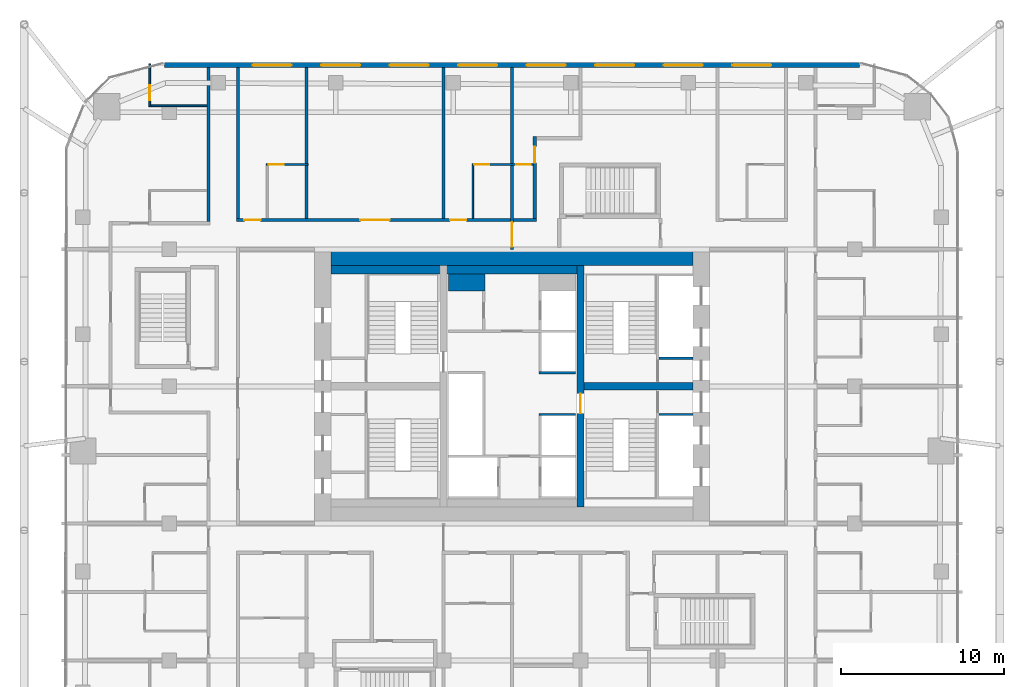
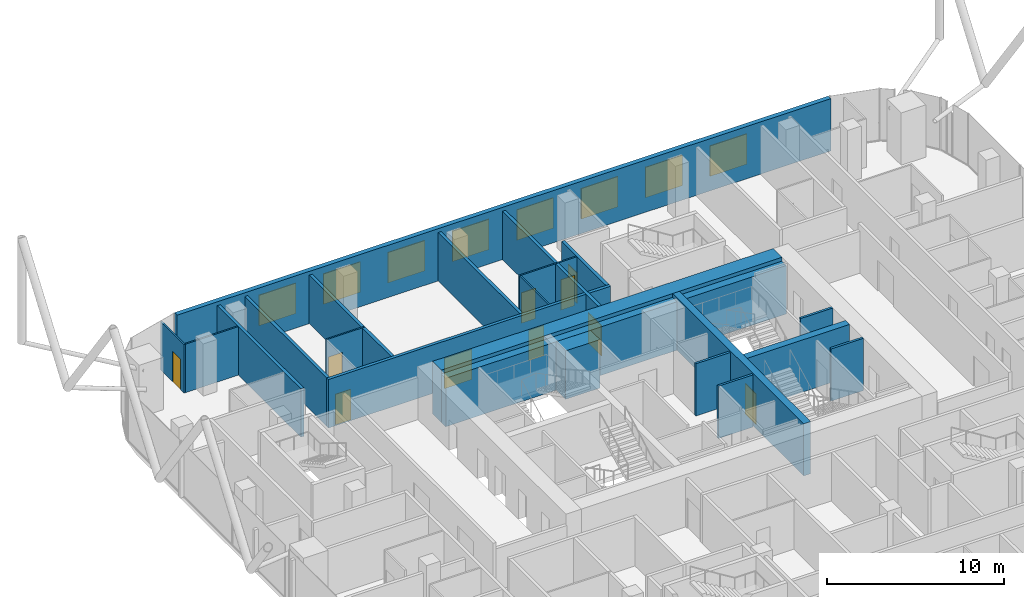
# One storey, part 32 of 36: 22 walls, 10 doors, 8 windows, 18 openings.
"""IFC4 building model written with IfcOpenShell, lengths in metres."""

from ifc_helpers import new_model, si_unit, direction, frame, frame_2d, origin, place, context, subcontext, project, spatial, rectangle, extrude, material, layer, layer_set, type_object, element, fill, save


model = new_model("IFC4")

# Units and contexts
model_context = context("Model", 3, precision=1e-05, world=origin(), true_north=direction((0.0, 1.0)))
body_context = subcontext(model_context, "Body", "Model", "MODEL_VIEW")
ifc_project = project(units=[si_unit("LENGTHUNIT", "METRE"), si_unit("AREAUNIT", "SQUARE_METRE"), si_unit("VOLUMEUNIT", "CUBIC_METRE"), si_unit("PLANEANGLEUNIT", "RADIAN"), si_unit("MASSUNIT", "GRAM", prefix="KILO")], contexts=[model_context])

# Site, building, storey
site_placement = place(None, origin())
site = spatial("IfcSite", under=ifc_project, at=site_placement, CompositionType="ELEMENT")
building_placement = place(site_placement, origin())
building = spatial("IfcBuilding", under=site, at=building_placement, Name="Marenta Gate Hotel Tower", CompositionType="ELEMENT")
storey_placement = place(building_placement, frame((0.0, 0.0, 144.5)))
storey = spatial("IfcBuildingStorey", under=building, at=storey_placement, Name="L33", CompositionType="ELEMENT", Elevation=144.5)

# Wall, openings, windows
ifc_material_1 = material(Name="Concrete C40 board-marked", Category="concrete")
ifc_layer_1 = layer(ifc_material_1, 0.300048828125)
ifc_layer_set_1 = layer_set([ifc_layer_1], Name="Concrete C40 board-marked")
wall_type_1 = type_object("IfcWallType", Name="Board-marked concrete wall 300 mm", PredefinedType="NOTDEFINED", material=ifc_layer_set_1)
wall_1_placement = place(storey_placement, frame((21.305908203125, 28.090087890625, 0.0), z_axis=(0.0, 0.0, 1.0), x_axis=(-1.0, 0.0, 0.0)))
wall_1 = element("IfcWall", 1, at=wall_1_placement, inside=storey, type_object=wall_type_1, Name="L33-CLD-N00", PredefinedType="NOTDEFINED", context=body_context, shape_type="SweptSolid", body=[
    extrude(rectangle(XDim=42.61181640625, YDim=0.300048828125, at=frame_2d((21.305908203125, 0.0))), origin(), (0.0, 0.0, 1.0), 3.60009765625),
])
opening_1_placement = place(wall_1_placement, frame((5.406005859375, 0.0, 0.89990234375)))
opening_1 = element("IfcOpeningElement", 2, at=opening_1_placement, cuts=wall_1, Name="Opening W1", PredefinedType="OPENING", context=body_context, shape_type="SweptSolid", body=[
    extrude(rectangle(XDim=2.39990234375, YDim=2.10009765625, at=frame_2d((1.199951171875, 1.050048828125))), frame((0.0, 0.14990234375, 0.0), z_axis=(0.0, -1.0, 0.0), x_axis=(1.0, 0.0, 0.0)), (0.0, 0.0, 1.0), 0.300048828125),
])
opening_2_placement = place(wall_1_placement, frame((9.60595703125, 0.0, 0.89990234375)))
opening_2 = element("IfcOpeningElement", 3, at=opening_2_placement, cuts=wall_1, Name="Opening W1", PredefinedType="OPENING", context=body_context, shape_type="SweptSolid", body=[
    extrude(rectangle(XDim=2.39990234375, YDim=2.10009765625, at=frame_2d((1.199951171875, 1.050048828125))), frame((0.0, 0.14990234375, 0.0), z_axis=(0.0, -1.0, 0.0), x_axis=(1.0, 0.0, 0.0)), (0.0, 0.0, 1.0), 0.300048828125),
])
opening_3_placement = place(wall_1_placement, frame((13.805908203125, 0.0, 0.89990234375)))
opening_3 = element("IfcOpeningElement", 4, at=opening_3_placement, cuts=wall_1, Name="Opening W1", PredefinedType="OPENING", context=body_context, shape_type="SweptSolid", body=[
    extrude(rectangle(XDim=2.39990234375, YDim=2.10009765625, at=frame_2d((1.199951171875, 1.050048828125))), frame((0.0, 0.14990234375, 0.0), z_axis=(0.0, -1.0, 0.0), x_axis=(1.0, 0.0, 0.0)), (0.0, 0.0, 1.0), 0.300048828125),
])
opening_4_placement = place(wall_1_placement, frame((18.005859375, 0.0, 0.89990234375)))
opening_4 = element("IfcOpeningElement", 5, at=opening_4_placement, cuts=wall_1, Name="Opening W1", PredefinedType="OPENING", context=body_context, shape_type="SweptSolid", body=[
    extrude(rectangle(XDim=2.39990234375, YDim=2.10009765625, at=frame_2d((1.199951171875, 1.050048828125))), frame((0.0, 0.14990234375, 0.0), z_axis=(0.0, -1.0, 0.0), x_axis=(1.0, 0.0, 0.0)), (0.0, 0.0, 1.0), 0.300048828125),
])
opening_5_placement = place(wall_1_placement, frame((22.205810546875, 0.0, 0.89990234375)))
opening_5 = element("IfcOpeningElement", 6, at=opening_5_placement, cuts=wall_1, Name="Opening W1", PredefinedType="OPENING", context=body_context, shape_type="SweptSolid", body=[
    extrude(rectangle(XDim=2.39990234375, YDim=2.10009765625, at=frame_2d((1.199951171875, 1.050048828125))), frame((0.0, 0.14990234375, 0.0), z_axis=(0.0, -1.0, 0.0), x_axis=(1.0, 0.0, 0.0)), (0.0, 0.0, 1.0), 0.300048828125),
])
opening_6_placement = place(wall_1_placement, frame((26.406005859375, 0.0, 0.89990234375)))
opening_6 = element("IfcOpeningElement", 7, at=opening_6_placement, cuts=wall_1, Name="Opening W1", PredefinedType="OPENING", context=body_context, shape_type="SweptSolid", body=[
    extrude(rectangle(XDim=2.39990234375, YDim=2.10009765625, at=frame_2d((1.199951171875, 1.050048828125))), frame((0.0, 0.14990234375, 0.0), z_axis=(0.0, -1.0, 0.0), x_axis=(1.0, 0.0, 0.0)), (0.0, 0.0, 1.0), 0.300048828125),
])
opening_7_placement = place(wall_1_placement, frame((30.60595703125, 0.0, 0.89990234375)))
opening_7 = element("IfcOpeningElement", 8, at=opening_7_placement, cuts=wall_1, Name="Opening W1", PredefinedType="OPENING", context=body_context, shape_type="SweptSolid", body=[
    extrude(rectangle(XDim=2.39990234375, YDim=2.10009765625, at=frame_2d((1.199951171875, 1.050048828125))), frame((0.0, 0.14990234375, 0.0), z_axis=(0.0, -1.0, 0.0), x_axis=(1.0, 0.0, 0.0)), (0.0, 0.0, 1.0), 0.300048828125),
])
opening_8_placement = place(wall_1_placement, frame((34.805908203125, 0.0, 0.89990234375)))
opening_8 = element("IfcOpeningElement", 9, at=opening_8_placement, cuts=wall_1, Name="Opening W1", PredefinedType="OPENING", context=body_context, shape_type="SweptSolid", body=[
    extrude(rectangle(XDim=2.39990234375, YDim=2.10009765625, at=frame_2d((1.199951171875, 1.050048828125))), frame((0.0, 0.14990234375, 0.0), z_axis=(0.0, -1.0, 0.0), x_axis=(1.0, 0.0, 0.0)), (0.0, 0.0, 1.0), 0.300048828125),
])
ifc_material_2 = material(Name="Tinted insulated glass in bronze anodised frame", Category="glass")
window_type = type_object("IfcWindowType", Name="Window W1 2400x2100 bronze frame", PartitioningType="SINGLE_PANEL", PredefinedType="WINDOW", material=ifc_material_2)
window_1_placement = place(opening_1_placement, origin())
window_1 = element("IfcWindow", 10, at=window_1_placement, inside=storey, type_object=window_type, Name="Window W1", OverallHeight=2.10009765625, OverallWidth=2.39990234375, PartitioningType="SINGLE_PANEL", PredefinedType="WINDOW", context=body_context, shape_type="SweptSolid", body=[
    extrude(rectangle(XDim=2.39990234375, YDim=2.10009765625, at=frame_2d((1.199951171875, 1.050048828125))), frame((0.0, 0.030029296875, 0.0), z_axis=(0.0, -1.0, 0.0), x_axis=(1.0, 0.0, 0.0)), (0.0, 0.0, 1.0), 0.06005859375),
])
fill(opening_1, window_1)
window_2_placement = place(opening_2_placement, origin())
window_2 = element("IfcWindow", 11, at=window_2_placement, inside=storey, type_object=window_type, Name="Window W1", OverallHeight=2.10009765625, OverallWidth=2.39990234375, PartitioningType="SINGLE_PANEL", PredefinedType="WINDOW", context=body_context, shape_type="SweptSolid", body=[
    extrude(rectangle(XDim=2.39990234375, YDim=2.10009765625, at=frame_2d((1.199951171875, 1.050048828125))), frame((0.0, 0.030029296875, 0.0), z_axis=(0.0, -1.0, 0.0), x_axis=(1.0, 0.0, 0.0)), (0.0, 0.0, 1.0), 0.06005859375),
])
fill(opening_2, window_2)
window_3_placement = place(opening_3_placement, origin())
window_3 = element("IfcWindow", 12, at=window_3_placement, inside=storey, type_object=window_type, Name="Window W1", OverallHeight=2.10009765625, OverallWidth=2.39990234375, PartitioningType="SINGLE_PANEL", PredefinedType="WINDOW", context=body_context, shape_type="SweptSolid", body=[
    extrude(rectangle(XDim=2.39990234375, YDim=2.10009765625, at=frame_2d((1.199951171875, 1.050048828125))), frame((0.0, 0.030029296875, 0.0), z_axis=(0.0, -1.0, 0.0), x_axis=(1.0, 0.0, 0.0)), (0.0, 0.0, 1.0), 0.06005859375),
])
fill(opening_3, window_3)
window_4_placement = place(opening_4_placement, origin())
window_4 = element("IfcWindow", 13, at=window_4_placement, inside=storey, type_object=window_type, Name="Window W1", OverallHeight=2.10009765625, OverallWidth=2.39990234375, PartitioningType="SINGLE_PANEL", PredefinedType="WINDOW", context=body_context, shape_type="SweptSolid", body=[
    extrude(rectangle(XDim=2.39990234375, YDim=2.10009765625, at=frame_2d((1.199951171875, 1.050048828125))), frame((0.0, 0.030029296875, 0.0), z_axis=(0.0, -1.0, 0.0), x_axis=(1.0, 0.0, 0.0)), (0.0, 0.0, 1.0), 0.06005859375),
])
fill(opening_4, window_4)
window_5_placement = place(opening_5_placement, origin())
window_5 = element("IfcWindow", 14, at=window_5_placement, inside=storey, type_object=window_type, Name="Window W1", OverallHeight=2.10009765625, OverallWidth=2.39990234375, PartitioningType="SINGLE_PANEL", PredefinedType="WINDOW", context=body_context, shape_type="SweptSolid", body=[
    extrude(rectangle(XDim=2.39990234375, YDim=2.10009765625, at=frame_2d((1.199951171875, 1.050048828125))), frame((0.0, 0.030029296875, 0.0), z_axis=(0.0, -1.0, 0.0), x_axis=(1.0, 0.0, 0.0)), (0.0, 0.0, 1.0), 0.06005859375),
])
fill(opening_5, window_5)
window_6_placement = place(opening_6_placement, origin())
window_6 = element("IfcWindow", 15, at=window_6_placement, inside=storey, type_object=window_type, Name="Window W1", OverallHeight=2.10009765625, OverallWidth=2.39990234375, PartitioningType="SINGLE_PANEL", PredefinedType="WINDOW", context=body_context, shape_type="SweptSolid", body=[
    extrude(rectangle(XDim=2.39990234375, YDim=2.10009765625, at=frame_2d((1.199951171875, 1.050048828125))), frame((0.0, 0.030029296875, 0.0), z_axis=(0.0, -1.0, 0.0), x_axis=(1.0, 0.0, 0.0)), (0.0, 0.0, 1.0), 0.06005859375),
])
fill(opening_6, window_6)
window_7_placement = place(opening_7_placement, origin())
window_7 = element("IfcWindow", 16, at=window_7_placement, inside=storey, type_object=window_type, Name="Window W1", OverallHeight=2.10009765625, OverallWidth=2.39990234375, PartitioningType="SINGLE_PANEL", PredefinedType="WINDOW", context=body_context, shape_type="SweptSolid", body=[
    extrude(rectangle(XDim=2.39990234375, YDim=2.10009765625, at=frame_2d((1.199951171875, 1.050048828125))), frame((0.0, 0.030029296875, 0.0), z_axis=(0.0, -1.0, 0.0), x_axis=(1.0, 0.0, 0.0)), (0.0, 0.0, 1.0), 0.06005859375),
])
fill(opening_7, window_7)
window_8_placement = place(opening_8_placement, origin())
window_8 = element("IfcWindow", 17, at=window_8_placement, inside=storey, type_object=window_type, Name="Window W1", OverallHeight=2.10009765625, OverallWidth=2.39990234375, PartitioningType="SINGLE_PANEL", PredefinedType="WINDOW", context=body_context, shape_type="SweptSolid", body=[
    extrude(rectangle(XDim=2.39990234375, YDim=2.10009765625, at=frame_2d((1.199951171875, 1.050048828125))), frame((0.0, 0.030029296875, 0.0), z_axis=(0.0, -1.0, 0.0), x_axis=(1.0, 0.0, 0.0)), (0.0, 0.0, 1.0), 0.06005859375),
])
fill(opening_8, window_8)

# Wall, opening, door
ifc_material_3 = material(Name="Concrete blockwork", Category="masonry")
ifc_layer_2 = layer(ifc_material_3, 0.199951171875)
ifc_layer_set_2 = layer_set([ifc_layer_2], Name="Concrete blockwork")
wall_type_2 = type_object("IfcWallType", Name="Compartment wall 200 REI 180", PredefinedType="PARTITIONING", material=ifc_layer_set_2)
wall_2_placement = place(storey_placement, frame((0.0, 16.800048828125, 0.0), z_axis=(0.0, 0.0, 1.0), x_axis=(0.0, 1.0, 0.0)))
wall_2 = element("IfcWall", 18, at=wall_2_placement, inside=storey, type_object=wall_type_2, Name="L33-PTN-W075", PredefinedType="PARTITIONING", context=body_context, shape_type="SweptSolid", body=[
    extrude(rectangle(XDim=11.139892578125, YDim=0.199951171875, at=frame_2d((5.56982421875, 0.0))), origin(), (0.0, 0.0, 1.0), 3.340087890625),
])
opening_9_placement = place(wall_2_placement, frame((0.14990234375, 0.0, 0.0)))
opening_9 = element("IfcOpeningElement", 19, at=opening_9_placement, cuts=wall_2, Name="Opening G12-FD1", PredefinedType="OPENING", context=body_context, shape_type="SweptSolid", body=[
    extrude(rectangle(XDim=1.5, YDim=2.10009765625, at=frame_2d((0.75, 1.050048828125))), frame((0.0, 0.10009765625, 0.0), z_axis=(0.0, -1.0, 0.0), x_axis=(1.0, 0.0, 0.0)), (0.0, 0.0, 1.0), 0.199951171875),
])
ifc_material_4 = material(Name="Hollow steel door set", Category="steel")
door_type_1 = type_object("IfcDoorType", Name="Compartment fire door 1500x2100 EI 60", OperationType="DOUBLE_DOOR_DOUBLE_SWING", PredefinedType="DOOR", material=ifc_material_4)
door_1_placement = place(opening_9_placement, origin())
door_1 = element("IfcDoor", 20, at=door_1_placement, inside=storey, type_object=door_type_1, Name="L33-PD-FD01", OperationType="DOUBLE_DOOR_DOUBLE_SWING", OverallHeight=2.10009765625, OverallWidth=1.5, PredefinedType="DOOR", context=body_context, shape_type="SweptSolid", body=[
    extrude(rectangle(XDim=1.5, YDim=2.10009765625, at=frame_2d((0.75, 1.050048828125))), frame((0.0, 0.02490234375, 0.0), z_axis=(0.0, -1.0, 0.0), x_axis=(1.0, 0.0, 0.0)), (0.0, 0.0, 1.0), 0.050048828125),
])
fill(opening_9, door_1)

# Walls
ifc_material_5 = material(Name="Concrete C40", Category="concrete")
ifc_layer_3 = layer(ifc_material_5, 0.5)
ifc_layer_set_3 = layer_set([ifc_layer_3], Name="Concrete C40")
wall_type_3 = type_object("IfcWallType", Name="Core lining wall 500 REI 180", PredefinedType="PARTITIONING", material=ifc_layer_set_3)
wall_3_placement = place(storey_placement, frame((-11.10009765625, 15.550048828125, 0.0), z_axis=(0.0, 0.0, 1.0), x_axis=(1.0, 0.0, 0.0)))
element("IfcWall", 21, at=wall_3_placement, inside=storey, type_object=wall_type_3, Name="L33-CP-LN-N", PredefinedType="PARTITIONING", context=body_context, shape_type="SweptSolid", body=[
    extrude(rectangle(XDim=22.2001953125, YDim=0.5, at=frame_2d((11.10009765625, 0.0))), origin(), (0.0, 0.0, 1.0), 3.340087890625),
])
ifc_material_6 = material(Name="Concrete blockwork", Category="masonry")
ifc_layer_4 = layer(ifc_material_6, 1.050048828125)
ifc_layer_set_4 = layer_set([ifc_layer_4], Name="Concrete blockwork")
wall_type_4 = type_object("IfcWallType", Name="Core room partition 1050 REI 180", PredefinedType="PARTITIONING", material=ifc_layer_set_4)
wall_4_placement = place(storey_placement, frame((-3.89990234375, 14.77490234375, 0.0), z_axis=(0.0, 0.0, 1.0), x_axis=(1.0, 0.0, 0.0)))
element("IfcWall", 22, at=wall_4_placement, inside=storey, type_object=wall_type_4, Name="L33-CP-CW-W-riser-N", PredefinedType="PARTITIONING", context=body_context, shape_type="SweptSolid", body=[
    extrude(rectangle(XDim=2.25, YDim=1.050048828125, at=frame_2d((1.125, 0.0))), origin(), (0.0, 0.0, 1.0), 3.340087890625),
])
ifc_material_7 = material(Name="Concrete C40", Category="concrete")
ifc_layer_5 = layer(ifc_material_7, 0.14990234375)
ifc_layer_set_5 = layer_set([ifc_layer_5], Name="Concrete C40")
wall_type_5 = type_object("IfcWallType", Name="Core shaft wall 150 REI 180", PredefinedType="SHEAR", material=ifc_layer_set_5)
for number, where, z_axis, x_axis, name in (
    (23, (9.0, 6.675048828125, 0.0), (0.0, 0.0, 1.0), (1.0, 0.0, 0.0), "L33-SHF-SW-ES-2"),
    (24, (9.0, 10.125, 0.0), (0.0, 0.0, 1.0), (1.0, 0.0, 0.0), "L33-SHF-SW-EN-2"),
):
    element("IfcWall", number, at=place(storey_placement, frame(where, z_axis=z_axis, x_axis=x_axis)), inside=storey, type_object=wall_type_5, Name=name, PredefinedType="SHEAR", context=body_context, shape_type="SweptSolid", body=[
        extrude(rectangle(XDim=2.10009765625, YDim=0.14990234375, at=frame_2d((1.050048828125, 0.0))), origin(), (0.0, 0.0, 1.0), 3.60009765625),
    ])
for number, where, z_axis, x_axis, name in (
    (25, (1.64990234375, 6.675048828125, 0.0), (0.0, 0.0, 1.0), (1.0, 0.0, 0.0), "L33-SHF-CE-sep1"),
    (26, (1.64990234375, 9.22509765625, 0.0), (0.0, 0.0, 1.0), (1.0, 0.0, 0.0), "L33-SHF-CE-sep2"),
):
    element("IfcWall", number, at=place(storey_placement, frame(where, z_axis=z_axis, x_axis=x_axis)), inside=storey, type_object=wall_type_5, Name=name, PredefinedType="SHEAR", context=body_context, shape_type="SweptSolid", body=[
        extrude(rectangle(XDim=2.25, YDim=0.14990234375, at=frame_2d((1.125, 0.0))), origin(), (0.0, 0.0, 1.0), 3.60009765625),
    ])
ifc_material_8 = material(Name="Concrete C70", Category="concrete")
ifc_layer_6 = layer(ifc_material_8, 1.0)
ifc_layer_set_6 = layer_set([ifc_layer_6], Name="Concrete C70")
wall_type_6 = type_object("IfcWallType", Name="Core wall 1000 C70", PredefinedType="SHEAR", material=ifc_layer_set_6)
wall_5_placement = place(storey_placement, frame((-11.10009765625, 16.300048828125, 0.0), z_axis=(0.0, 0.0, 1.0), x_axis=(1.0, 0.0, 0.0)))
element("IfcWall", 27, at=wall_5_placement, inside=storey, type_object=wall_type_6, Name="L33-CORE-N", PredefinedType="SHEAR", context=body_context, shape_type="SweptSolid", body=[
    extrude(rectangle(XDim=22.2001953125, YDim=1.0, at=frame_2d((11.10009765625, 0.0))), origin(), (0.0, 0.0, 1.0), 3.60009765625),
])

# Wall, opening, door
ifc_material_9 = material(Name="Concrete C70", Category="concrete")
ifc_layer_7 = layer(ifc_material_9, 0.449951171875)
ifc_layer_set_7 = layer_set([ifc_layer_7], Name="Concrete C70")
wall_type_7 = type_object("IfcWallType", Name="Core web 450 C70", PredefinedType="SHEAR", material=ifc_layer_set_7)
wall_6_placement = place(storey_placement, frame((4.199951171875, 1.0, 0.0), z_axis=(0.0, 0.0, 1.0), x_axis=(0.0, 1.0, 0.0)))
wall_6 = element("IfcWall", 28, at=wall_6_placement, inside=storey, type_object=wall_type_7, Name="L33-CORE-W2", PredefinedType="SHEAR", context=body_context, shape_type="SweptSolid", body=[
    extrude(rectangle(XDim=14.800048828125, YDim=0.449951171875, at=frame_2d((7.39990234375, 0.0))), origin(), (0.0, 0.0, 1.0), 3.60009765625),
])
opening_10_placement = place(wall_6_placement, frame((5.75, 0.0, 0.0)))
opening_10 = element("IfcOpeningElement", 29, at=opening_10_placement, cuts=wall_6, Name="Opening WD-E", PredefinedType="OPENING", context=body_context, shape_type="SweptSolid", body=[
    extrude(rectangle(XDim=1.199951171875, YDim=2.10009765625, at=frame_2d((0.60009765625, 1.050048828125))), frame((0.0, 0.22509765625, 0.0), z_axis=(0.0, -1.0, 0.0), x_axis=(1.0, 0.0, 0.0)), (0.0, 0.0, 1.0), 0.449951171875),
])
ifc_material_10 = material(Name="Steel", Category="steel")
door_type_2 = type_object("IfcDoorType", Name="Core stair door 1200x2100 FD60", OperationType="SINGLE_SWING_LEFT", PredefinedType="DOOR", material=ifc_material_10)
door_2_placement = place(opening_10_placement, origin())
door_2 = element("IfcDoor", 30, at=door_2_placement, inside=storey, type_object=door_type_2, Name="WD-E", OperationType="SINGLE_SWING_LEFT", OverallHeight=2.10009765625, OverallWidth=1.199951171875, PredefinedType="DOOR", context=body_context, shape_type="SweptSolid", body=[
    extrude(rectangle(XDim=1.199951171875, YDim=2.10009765625, at=frame_2d((0.60009765625, 1.050048828125))), frame((0.0, 0.02490234375, 0.0), z_axis=(0.0, -1.0, 0.0), x_axis=(1.0, 0.0, 0.0)), (0.0, 0.0, 1.0), 0.050048828125),
])
fill(opening_10, door_2)

# Wall
wall_7_placement = place(storey_placement, frame((4.425048828125, 8.39990234375, 0.0), z_axis=(0.0, 0.0, 1.0), x_axis=(1.0, 0.0, 0.0)))
element("IfcWall", 31, at=wall_7_placement, inside=storey, type_object=wall_type_7, Name="L33-CORE-W4", PredefinedType="SHEAR", context=body_context, shape_type="SweptSolid", body=[
    extrude(rectangle(XDim=6.675048828125, YDim=0.449951171875, at=frame_2d((3.33740234375, 0.0))), origin(), (0.0, 0.0, 1.0), 3.60009765625),
])

# Wall, opening, door
ifc_material_11 = material(Name="Gypsum board on steel stud", Category="steel")
ifc_layer_8 = layer(ifc_material_11, 0.199951171875)
ifc_layer_set_8 = layer_set([ifc_layer_8], Name="Gypsum board on steel stud")
wall_type_8 = type_object("IfcWallType", Name="Room corridor wall 200 EI 60", PredefinedType="PARTITIONING", material=ifc_layer_set_8)
wall_8_placement = place(storey_placement, frame((1.39990234375, 18.699951171875, 0.0), z_axis=(0.0, 0.0, 1.0), x_axis=(0.0, 1.0, 0.0)))
wall_8 = element("IfcWall", 32, at=wall_8_placement, inside=storey, type_object=wall_type_8, Name="L33-PTN-W072", PredefinedType="PARTITIONING", context=body_context, shape_type="SweptSolid", body=[
    extrude(rectangle(XDim=5.0, YDim=0.199951171875, at=frame_2d((2.5, 0.0))), origin(), (0.0, 0.0, 1.0), 3.340087890625),
])
opening_11_placement = place(wall_8_placement, frame((3.39990234375, 0.0, 0.0)))
opening_11 = element("IfcOpeningElement", 33, at=opening_11_placement, cuts=wall_8, Name="Opening G12-34", PredefinedType="OPENING", context=body_context, shape_type="SweptSolid", body=[
    extrude(rectangle(XDim=1.0, YDim=2.10009765625, at=frame_2d((0.5, 1.050048828125))), frame((0.0, 0.10009765625, 0.0), z_axis=(0.0, -1.0, 0.0), x_axis=(1.0, 0.0, 0.0)), (0.0, 0.0, 1.0), 0.199951171875),
])
ifc_material_12 = material(Name="Timber door leaf", Category="wood")
door_type_3 = type_object("IfcDoorType", Name="Guest room door 1000x2100 EI 30", OperationType="NOTDEFINED", PredefinedType="DOOR", material=ifc_material_12)
door_3_placement = place(opening_11_placement, origin())
door_3 = element("IfcDoor", 34, at=door_3_placement, inside=storey, type_object=door_type_3, Name="L33-PD-D034", OperationType="SINGLE_SWING_RIGHT", OverallHeight=2.10009765625, OverallWidth=1.0, PredefinedType="DOOR", context=body_context, shape_type="SweptSolid", body=[
    extrude(rectangle(XDim=1.0, YDim=2.10009765625, at=frame_2d((0.5, 1.050048828125))), frame((0.0, 0.02490234375, 0.0), z_axis=(0.0, -1.0, 0.0), x_axis=(1.0, 0.0, 0.0)), (0.0, 0.0, 1.0), 0.050048828125),
])
fill(opening_11, door_3)

# Walls
wall_9_placement = place(storey_placement, frame((-16.800048828125, 18.699951171875, 0.0), z_axis=(0.0, 0.0, 1.0), x_axis=(0.0, 1.0, 0.0)))
element("IfcWall", 35, at=wall_9_placement, inside=storey, type_object=wall_type_8, Name="L33-PTN-W105", PredefinedType="PARTITIONING", context=body_context, shape_type="SweptSolid", body=[
    extrude(rectangle(XDim=9.239990234375, YDim=0.199951171875, at=frame_2d((4.6201171875, 0.0))), origin(), (0.0, 0.0, 1.0), 3.340087890625),
])
wall_10_placement = place(storey_placement, frame((-18.60009765625, 18.5, 0.0), z_axis=(0.0, 0.0, 1.0), x_axis=(0.0, 1.0, 0.0)))
element("IfcWall", 36, at=wall_10_placement, inside=storey, type_object=wall_type_8, Name="L33-PTN-W111", PredefinedType="PARTITIONING", context=body_context, shape_type="SweptSolid", body=[
    extrude(rectangle(XDim=9.43994140625, YDim=0.199951171875, at=frame_2d((4.719970703125, 0.0))), origin(), (0.0, 0.0, 1.0), 3.340087890625),
])

# Wall, openings, doors
wall_11_placement = place(storey_placement, frame((-16.89990234375, 18.60009765625, 0.0), z_axis=(0.0, 0.0, 1.0), x_axis=(1.0, 0.0, 0.0)))
wall_11 = element("IfcWall", 37, at=wall_11_placement, inside=storey, type_object=wall_type_8, Name="L33-PTN-W112", PredefinedType="PARTITIONING", context=body_context, shape_type="SweptSolid", body=[
    extrude(rectangle(XDim=18.39990234375, YDim=0.199951171875, at=frame_2d((9.199951171875, 0.0))), origin(), (0.0, 0.0, 1.0), 3.340087890625),
])
opening_12_placement = place(wall_11_placement, frame((0.5, 0.0, 0.0)))
opening_12 = element("IfcOpeningElement", 38, at=opening_12_placement, cuts=wall_11, Name="Opening G12-29", PredefinedType="OPENING", context=body_context, shape_type="SweptSolid", body=[
    extrude(rectangle(XDim=1.0, YDim=2.10009765625, at=frame_2d((0.5, 1.050048828125))), frame((0.0, 0.10009765625, 0.0), z_axis=(0.0, -1.0, 0.0), x_axis=(1.0, 0.0, 0.0)), (0.0, 0.0, 1.0), 0.199951171875),
])
opening_13_placement = place(wall_11_placement, frame((7.60009765625, 0.0, 0.0)))
opening_13 = element("IfcOpeningElement", 39, at=opening_13_placement, cuts=wall_11, Name="Opening G12-31", PredefinedType="OPENING", context=body_context, shape_type="SweptSolid", body=[
    extrude(rectangle(XDim=1.800048828125, YDim=2.10009765625, at=frame_2d((0.89990234375, 1.050048828125))), frame((0.0, 0.10009765625, 0.0), z_axis=(0.0, -1.0, 0.0), x_axis=(1.0, 0.0, 0.0)), (0.0, 0.0, 1.0), 0.199951171875),
])
opening_14_placement = place(wall_11_placement, frame((13.10009765625, 0.0, 0.0)))
opening_14 = element("IfcOpeningElement", 40, at=opening_14_placement, cuts=wall_11, Name="Opening G12-32", PredefinedType="OPENING", context=body_context, shape_type="SweptSolid", body=[
    extrude(rectangle(XDim=1.0, YDim=2.10009765625, at=frame_2d((0.5, 1.050048828125))), frame((0.0, 0.10009765625, 0.0), z_axis=(0.0, -1.0, 0.0), x_axis=(1.0, 0.0, 0.0)), (0.0, 0.0, 1.0), 0.199951171875),
])
door_4_placement = place(opening_12_placement, origin())
door_4 = element("IfcDoor", 41, at=door_4_placement, inside=storey, type_object=door_type_3, Name="L33-PD-D029", OperationType="SINGLE_SWING_RIGHT", OverallHeight=2.10009765625, OverallWidth=1.0, PredefinedType="DOOR", context=body_context, shape_type="SweptSolid", body=[
    extrude(rectangle(XDim=1.0, YDim=2.10009765625, at=frame_2d((0.5, 1.050048828125))), frame((0.0, 0.02490234375, 0.0), z_axis=(0.0, -1.0, 0.0), x_axis=(1.0, 0.0, 0.0)), (0.0, 0.0, 1.0), 0.050048828125),
])
fill(opening_12, door_4)
door_5_placement = place(opening_14_placement, origin())
door_5 = element("IfcDoor", 42, at=door_5_placement, inside=storey, type_object=door_type_3, Name="L33-PD-D032", OperationType="SINGLE_SWING_LEFT", OverallHeight=2.10009765625, OverallWidth=1.0, PredefinedType="DOOR", context=body_context, shape_type="SweptSolid", body=[
    extrude(rectangle(XDim=1.0, YDim=2.10009765625, at=frame_2d((0.5, 1.050048828125))), frame((0.0, 0.02490234375, 0.0), z_axis=(0.0, -1.0, 0.0), x_axis=(1.0, 0.0, 0.0)), (0.0, 0.0, 1.0), 0.050048828125),
])
fill(opening_14, door_5)
ifc_material_13 = material(Name="Timber door leaf", Category="wood")
door_type_4 = type_object("IfcDoorType", Name="Room amenity door 1800x2100 EI 30", OperationType="DOUBLE_DOOR_SINGLE_SWING", PredefinedType="DOOR", material=ifc_material_13)
door_6_placement = place(opening_13_placement, origin())
door_6 = element("IfcDoor", 43, at=door_6_placement, inside=storey, type_object=door_type_4, Name="L33-PD-D031", OperationType="DOUBLE_DOOR_SINGLE_SWING", OverallHeight=2.10009765625, OverallWidth=1.800048828125, PredefinedType="DOOR", context=body_context, shape_type="SweptSolid", body=[
    extrude(rectangle(XDim=1.800048828125, YDim=2.10009765625, at=frame_2d((0.89990234375, 1.050048828125))), frame((0.0, 0.02490234375, 0.0), z_axis=(0.0, -1.0, 0.0), x_axis=(1.0, 0.0, 0.0)), (0.0, 0.0, 1.0), 0.050048828125),
])
fill(opening_13, door_6)

# Wall
ifc_material_14 = material(Name="Gypsum board on steel stud", Category="steel")
ifc_layer_9 = layer(ifc_material_14, 0.10009765625)
ifc_layer_set_9 = layer_set([ifc_layer_9], Name="Gypsum board on steel stud")
wall_type_9 = type_object("IfcWallType", Name="Room partition 100", PredefinedType="PARTITIONING", material=ifc_layer_set_9)
wall_12_placement = place(storey_placement, frame((-2.39990234375, 18.699951171875, 0.0), z_axis=(0.0, 0.0, 1.0), x_axis=(0.0, 1.0, 0.0)))
element("IfcWall", 44, at=wall_12_placement, inside=storey, type_object=wall_type_9, Name="L33-PTN-W079", PredefinedType="PARTITIONING", context=body_context, shape_type="SweptSolid", body=[
    extrude(rectangle(XDim=3.25, YDim=0.10009765625, at=frame_2d((1.625, 0.0))), origin(), (0.0, 0.0, 1.0), 3.340087890625),
])

# Wall, opening, door
wall_13_placement = place(storey_placement, frame((-15.050048828125, 22.0, 0.0), z_axis=(0.0, 0.0, 1.0), x_axis=(1.0, 0.0, 0.0)))
wall_13 = element("IfcWall", 45, at=wall_13_placement, inside=storey, type_object=wall_type_9, Name="L33-PTN-W118", PredefinedType="PARTITIONING", context=body_context, shape_type="SweptSolid", body=[
    extrude(rectangle(XDim=2.550048828125, YDim=0.10009765625, at=frame_2d((1.27490234375, 0.0))), origin(), (0.0, 0.0, 1.0), 3.340087890625),
])
opening_15_placement = place(wall_13_placement, frame((0.14990234375, 0.0, 0.0)))
opening_15 = element("IfcOpeningElement", 46, at=opening_15_placement, cuts=wall_13, Name="Opening G12-30", PredefinedType="OPENING", context=body_context, shape_type="SweptSolid", body=[
    extrude(rectangle(XDim=0.89990234375, YDim=2.10009765625, at=frame_2d((0.449951171875, 1.050048828125))), frame((0.0, 0.050048828125, 0.0), z_axis=(0.0, -1.0, 0.0), x_axis=(1.0, 0.0, 0.0)), (0.0, 0.0, 1.0), 0.10009765625),
])
ifc_material_15 = material(Name="Timber door leaf", Category="wood")
door_type_5 = type_object("IfcDoorType", Name="Guest bathroom door 900x2100", OperationType="NOTDEFINED", PredefinedType="DOOR", material=ifc_material_15)
door_7_placement = place(opening_15_placement, origin())
door_7 = element("IfcDoor", 47, at=door_7_placement, inside=storey, type_object=door_type_5, Name="L33-PD-D030", OperationType="SINGLE_SWING_RIGHT", OverallHeight=2.10009765625, OverallWidth=0.89990234375, PredefinedType="DOOR", context=body_context, shape_type="SweptSolid", body=[
    extrude(rectangle(XDim=0.89990234375, YDim=2.10009765625, at=frame_2d((0.449951171875, 1.050048828125))), frame((0.0, 0.02490234375, 0.0), z_axis=(0.0, -1.0, 0.0), x_axis=(1.0, 0.0, 0.0)), (0.0, 0.0, 1.0), 0.050048828125),
])
fill(opening_15, door_7)

# Wall, openings, doors
wall_14_placement = place(storey_placement, frame((-2.449951171875, 22.0, 0.0), z_axis=(0.0, 0.0, 1.0), x_axis=(1.0, 0.0, 0.0)))
wall_14 = element("IfcWall", 48, at=wall_14_placement, inside=storey, type_object=wall_type_9, Name="L33-PTN-W119", PredefinedType="PARTITIONING", context=body_context, shape_type="SweptSolid", body=[
    extrude(rectangle(XDim=3.75, YDim=0.10009765625, at=frame_2d((1.875, 0.0))), origin(), (0.0, 0.0, 1.0), 3.340087890625),
])
opening_16_placement = place(wall_14_placement, frame((0.14990234375, 0.0, 0.0)))
opening_16 = element("IfcOpeningElement", 49, at=opening_16_placement, cuts=wall_14, Name="Opening G12-33", PredefinedType="OPENING", context=body_context, shape_type="SweptSolid", body=[
    extrude(rectangle(XDim=0.89990234375, YDim=2.10009765625, at=frame_2d((0.449951171875, 1.050048828125))), frame((0.0, 0.050048828125, 0.0), z_axis=(0.0, -1.0, 0.0), x_axis=(1.0, 0.0, 0.0)), (0.0, 0.0, 1.0), 0.10009765625),
])
opening_17_placement = place(wall_14_placement, frame((2.699951171875, 0.0, 0.0)))
opening_17 = element("IfcOpeningElement", 50, at=opening_17_placement, cuts=wall_14, Name="Opening G12-35", PredefinedType="OPENING", context=body_context, shape_type="SweptSolid", body=[
    extrude(rectangle(XDim=0.89990234375, YDim=2.10009765625, at=frame_2d((0.449951171875, 1.050048828125))), frame((0.0, 0.050048828125, 0.0), z_axis=(0.0, -1.0, 0.0), x_axis=(1.0, 0.0, 0.0)), (0.0, 0.0, 1.0), 0.10009765625),
])
door_8_placement = place(opening_16_placement, origin())
door_8 = element("IfcDoor", 51, at=door_8_placement, inside=storey, type_object=door_type_5, Name="L33-PD-D033", OperationType="SINGLE_SWING_RIGHT", OverallHeight=2.10009765625, OverallWidth=0.89990234375, PredefinedType="DOOR", context=body_context, shape_type="SweptSolid", body=[
    extrude(rectangle(XDim=0.89990234375, YDim=2.10009765625, at=frame_2d((0.449951171875, 1.050048828125))), frame((0.0, 0.02490234375, 0.0), z_axis=(0.0, -1.0, 0.0), x_axis=(1.0, 0.0, 0.0)), (0.0, 0.0, 1.0), 0.050048828125),
])
fill(opening_16, door_8)
door_9_placement = place(opening_17_placement, origin())
door_9 = element("IfcDoor", 52, at=door_9_placement, inside=storey, type_object=door_type_5, Name="L33-PD-D035", OperationType="SINGLE_SWING_LEFT", OverallHeight=2.10009765625, OverallWidth=0.89990234375, PredefinedType="DOOR", context=body_context, shape_type="SweptSolid", body=[
    extrude(rectangle(XDim=0.89990234375, YDim=2.10009765625, at=frame_2d((0.449951171875, 1.050048828125))), frame((0.0, 0.02490234375, 0.0), z_axis=(0.0, -1.0, 0.0), x_axis=(1.0, 0.0, 0.0)), (0.0, 0.0, 1.0), 0.050048828125),
])
fill(opening_17, door_9)

# Wall, opening, door
wall_15_placement = place(storey_placement, frame((-22.199951171875, 25.550048828125, 0.0), z_axis=(0.0, 0.0, 1.0), x_axis=(0.0, 1.0, 0.0)))
wall_15 = element("IfcWall", 53, at=wall_15_placement, inside=storey, type_object=wall_type_9, Name="L33-PTN-W124", PredefinedType="PARTITIONING", context=body_context, shape_type="SweptSolid", body=[
    extrude(rectangle(XDim=2.6318359375, YDim=0.10009765625, at=frame_2d((1.31591796875, 0.0))), origin(), (0.0, 0.0, 1.0), 3.340087890625),
])
opening_18_placement = place(wall_15_placement, frame((0.39990234375, 0.0, 0.0)))
opening_18 = element("IfcOpeningElement", 54, at=opening_18_placement, cuts=wall_15, Name="Opening G12-64", PredefinedType="OPENING", context=body_context, shape_type="SweptSolid", body=[
    extrude(rectangle(XDim=0.89990234375, YDim=2.10009765625, at=frame_2d((0.449951171875, 1.050048828125))), frame((0.0, 0.050048828125, 0.0), z_axis=(0.0, -1.0, 0.0), x_axis=(1.0, 0.0, 0.0)), (0.0, 0.0, 1.0), 0.10009765625),
])
ifc_material_16 = material(Name="Timber door leaf", Category="wood")
door_type_6 = type_object("IfcDoorType", Name="Room inner door 900x2100", OperationType="NOTDEFINED", PredefinedType="DOOR", material=ifc_material_16)
door_10_placement = place(opening_18_placement, origin())
door_10 = element("IfcDoor", 55, at=door_10_placement, inside=storey, type_object=door_type_6, Name="L33-PD-D064", OperationType="SINGLE_SWING_RIGHT", OverallHeight=2.10009765625, OverallWidth=0.89990234375, PredefinedType="DOOR", context=body_context, shape_type="SweptSolid", body=[
    extrude(rectangle(XDim=0.89990234375, YDim=2.10009765625, at=frame_2d((0.449951171875, 1.050048828125))), frame((0.0, 0.02490234375, 0.0), z_axis=(0.0, -1.0, 0.0), x_axis=(1.0, 0.0, 0.0)), (0.0, 0.0, 1.0), 0.050048828125),
])
fill(opening_18, door_10)

# Walls
wall_16_placement = place(storey_placement, frame((-22.14990234375, 25.60009765625, 0.0), z_axis=(0.0, 0.0, 1.0), x_axis=(1.0, 0.0, 0.0)))
element("IfcWall", 56, at=wall_16_placement, inside=storey, type_object=wall_type_9, Name="L33-PTN-W129", PredefinedType="PARTITIONING", context=body_context, shape_type="SweptSolid", body=[
    extrude(rectangle(XDim=3.449951171875, YDim=0.10009765625, at=frame_2d((1.72509765625, 0.0))), origin(), (0.0, 0.0, 1.0), 3.340087890625),
])
ifc_material_17 = material(Name="Gypsum board on steel stud", Category="steel")
ifc_layer_10 = layer(ifc_material_17, 0.199951171875)
ifc_layer_set_10 = layer_set([ifc_layer_10], Name="Gypsum board on steel stud")
wall_type_10 = type_object("IfcWallType", Name="Room party wall 200 EI 60", PredefinedType="PARTITIONING", material=ifc_layer_set_10)
for number, where, z_axis, x_axis, name in (
    (57, (-4.199951171875, 18.699951171875, 0.0), (0.0, 0.0, 1.0), (0.0, 1.0, 0.0), "L33-PTN-W083"),
    (58, (-12.60009765625, 18.699951171875, 0.0), (0.0, 0.0, 1.0), (0.0, 1.0, 0.0), "L33-PTN-W098"),
):
    element("IfcWall", number, at=place(storey_placement, frame(where, z_axis=z_axis, x_axis=x_axis)), inside=storey, type_object=wall_type_10, Name=name, PredefinedType="PARTITIONING", context=body_context, shape_type="SweptSolid", body=[
        extrude(rectangle(XDim=9.239990234375, YDim=0.199951171875, at=frame_2d((4.6201171875, 0.0))), origin(), (0.0, 0.0, 1.0), 3.340087890625),
    ])

save(model, "model.ifc")
